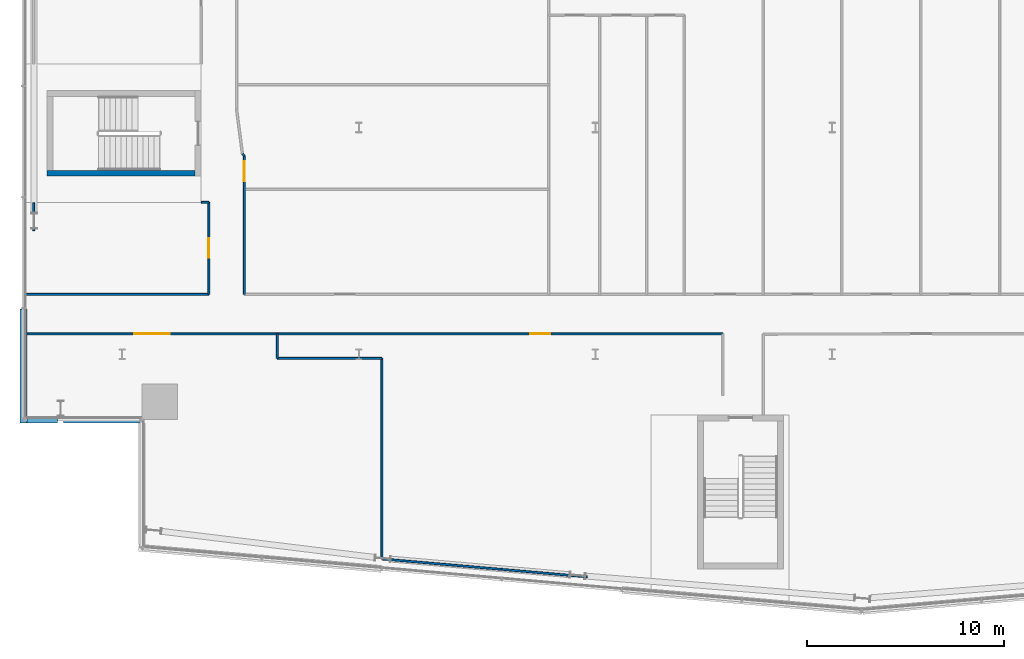
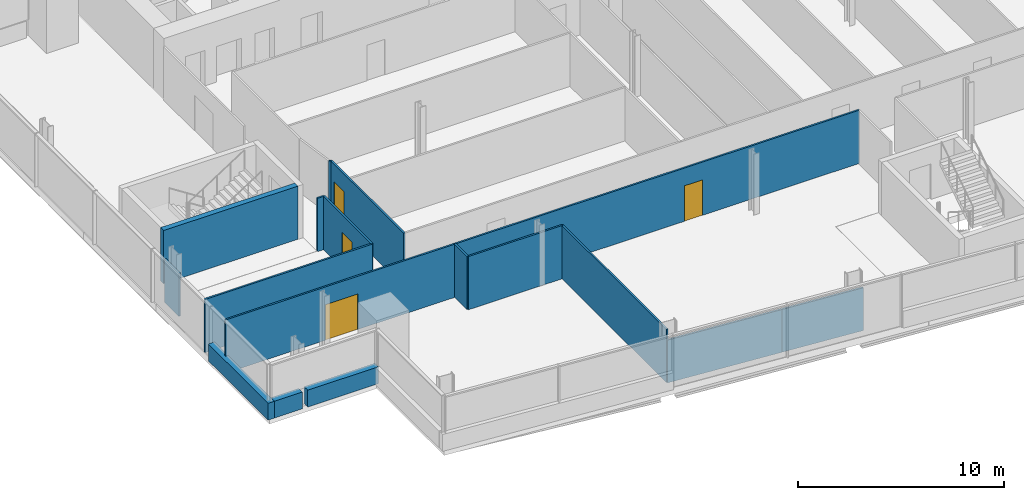
# One storey, part 14 of 25: 16 walls, 4 doors, 4 openings.
"""IFC4 building model written with IfcOpenShell, lengths in metres."""

from ifc_helpers import new_model, si_unit, direction, frame, frame_2d, origin, place, context, subcontext, project, spatial, rectangle, extrude, material, layer, layer_set, type_object, element, fill, save


model = new_model("IFC4")

# Units and contexts
model_context = context("Model", 3, precision=1e-05, world=origin(), true_north=direction((0.0, 1.0)))
body_context = subcontext(model_context, "Body", "Model", "MODEL_VIEW")
ifc_project = project(units=[si_unit("LENGTHUNIT", "METRE"), si_unit("AREAUNIT", "SQUARE_METRE"), si_unit("VOLUMEUNIT", "CUBIC_METRE"), si_unit("PLANEANGLEUNIT", "RADIAN"), si_unit("MASSUNIT", "GRAM", prefix="KILO")], contexts=[model_context])

# Site, building, storey
site_placement = place(None, origin())
site = spatial("IfcSite", under=ifc_project, at=site_placement, CompositionType="ELEMENT")
building_placement = place(site_placement, origin())
building = spatial("IfcBuilding", under=site, at=building_placement, Name="Wharfspan Tower", CompositionType="ELEMENT")
storey_placement = place(building_placement, frame((0.0, 0.0, 143.5)))
storey = spatial("IfcBuildingStorey", under=building, at=storey_placement, Name="L34", CompositionType="ELEMENT", Elevation=143.5)

# Wall, openings, doors
ifc_material_1 = material(Name="Gypsum board on steel studs", Category="steel")
ifc_layer_1 = layer(ifc_material_1, 0.100098)
ifc_layer_set_1 = layer_set([ifc_layer_1], Name="Gypsum board on steel studs")
wall_type_1 = type_object("IfcWallType", Name="Compartment wall 100 EI 60", PredefinedType="PARTITIONING", material=ifc_layer_set_1)
wall_1_placement = place(storey_placement, frame((7.02002, 12.530029, 0.0), z_axis=(0.0, 0.0, 1.0), x_axis=(1.0, 0.0, 0.0)))
wall_1 = element("IfcWall", 1, at=wall_1_placement, inside=storey, type_object=wall_type_1, Name="Partition L34.w001", PredefinedType="PARTITIONING", context=body_context, shape_type="SweptSolid", body=[
    extrude(rectangle(XDim=35.439941, YDim=0.100098, at=frame_2d((17.719971, 0.0))), origin(), (0.0, 0.0, 1.0), 3.149902),
])
opening_1_placement = place(wall_1_placement, frame((5.600098, 0.0, 0.0)))
opening_1 = element("IfcOpeningElement", 2, at=opening_1_placement, cuts=wall_1, Name="Opening B6-02", PredefinedType="OPENING", context=body_context, shape_type="SweptSolid", body=[
    extrude(rectangle(XDim=1.800049, YDim=2.100098, at=frame_2d((0.899902, 1.050049))), frame((0.0, 0.060059, 0.0), z_axis=(0.0, -1.0, 0.0), x_axis=(1.0, 0.0, 0.0)), (0.0, 0.0, 1.0), 0.120117),
])
opening_2_placement = place(wall_1_placement, frame((25.675049, 0.0, 0.0)))
opening_2 = element("IfcOpeningElement", 3, at=opening_2_placement, cuts=wall_1, Name="Opening B6-03", PredefinedType="OPENING", context=body_context, shape_type="SweptSolid", body=[
    extrude(rectangle(XDim=1.0, YDim=2.100098, at=frame_2d((0.5, 1.050049))), frame((0.0, 0.060059, 0.0), z_axis=(0.0, -1.0, 0.0), x_axis=(1.0, 0.0, 0.0)), (0.0, 0.0, 1.0), 0.120117),
])
ifc_material_2 = material(Name="Fire-rated timber door leaf in steel frame", Category="steel")
door_type_1 = type_object("IfcDoorType", Name="Door 1000 FD30S Right", OperationType="SINGLE_SWING_RIGHT", PredefinedType="DOOR", material=ifc_material_2)
door_1_placement = place(opening_2_placement, origin())
door_1 = element("IfcDoor", 4, at=door_1_placement, inside=storey, type_object=door_type_1, Name="Door B6-03", OperationType="SINGLE_SWING_RIGHT", OverallHeight=2.100098, OverallWidth=1.0, PredefinedType="DOOR", context=body_context, shape_type="SweptSolid", body=[
    extrude(rectangle(XDim=1.0, YDim=2.100098, at=frame_2d((0.5, 1.050049))), frame((0.0, 0.024902, 0.0), z_axis=(0.0, -1.0, 0.0), x_axis=(1.0, 0.0, 0.0)), (0.0, 0.0, 1.0), 0.050049),
])
fill(opening_2, door_1)
door_type_2 = type_object("IfcDoorType", Name="Door 1800 FD30S Double", OperationType="DOUBLE_DOOR_SINGLE_SWING", PredefinedType="DOOR", material=ifc_material_2)
door_2_placement = place(opening_1_placement, origin())
door_2 = element("IfcDoor", 5, at=door_2_placement, inside=storey, type_object=door_type_2, Name="Door B6-02", OperationType="DOUBLE_DOOR_SINGLE_SWING", OverallHeight=2.100098, OverallWidth=1.800049, PredefinedType="DOOR", context=body_context, shape_type="SweptSolid", body=[
    extrude(rectangle(XDim=1.800049, YDim=2.100098, at=frame_2d((0.899902, 1.050049))), frame((0.0, 0.024902, 0.0), z_axis=(0.0, -1.0, 0.0), x_axis=(1.0, 0.0, 0.0)), (0.0, 0.0, 1.0), 0.050049),
])
fill(opening_1, door_2)

# Walls
wall_2_placement = place(storey_placement, frame((7.02002, 14.530029, 0.0), z_axis=(0.0, 0.0, 1.0), x_axis=(1.0, 0.0, 0.0)))
element("IfcWall", 6, at=wall_2_placement, inside=storey, type_object=wall_type_1, Name="Partition L34.w002", PredefinedType="PARTITIONING", context=body_context, shape_type="SweptSolid", body=[
    extrude(rectangle(XDim=9.379883, YDim=0.100098, at=frame_2d((4.689941, 0.0))), origin(), (0.0, 0.0, 1.0), 3.149902),
])
wall_3_placement = place(storey_placement, frame((16.02002, 19.199951, 0.0), z_axis=(0.0, 0.0, 1.0), x_axis=(1.0, 0.0, 0.0)))
element("IfcWall", 7, at=wall_3_placement, inside=storey, type_object=wall_type_1, Name="Partition L34.w006", PredefinedType="PARTITIONING", context=body_context, shape_type="SweptSolid", body=[
    extrude(rectangle(XDim=0.379883, YDim=0.100098, at=frame_2d((0.189941, 0.0))), origin(), (0.0, 0.0, 1.0), 3.149902),
])

# Wall, opening, door
wall_4_placement = place(storey_placement, frame((16.399902, 14.530029, 0.0), z_axis=(0.0, 0.0, 1.0), x_axis=(0.0, 1.0, 0.0)))
wall_4 = element("IfcWall", 8, at=wall_4_placement, inside=storey, type_object=wall_type_1, Name="Partition L34.w007", PredefinedType="PARTITIONING", context=body_context, shape_type="SweptSolid", body=[
    extrude(rectangle(XDim=4.669922, YDim=0.100098, at=frame_2d((2.334961, 0.0))), origin(), (0.0, 0.0, 1.0), 3.149902),
])
opening_3_placement = place(wall_4_placement, frame((1.850098, 0.0, 0.0)))
opening_3 = element("IfcOpeningElement", 9, at=opening_3_placement, cuts=wall_4, Name="Opening B6-14", PredefinedType="OPENING", context=body_context, shape_type="SweptSolid", body=[
    extrude(rectangle(XDim=1.0, YDim=2.100098, at=frame_2d((0.5, 1.050049))), frame((0.0, 0.060059, 0.0), z_axis=(0.0, -1.0, 0.0), x_axis=(1.0, 0.0, 0.0)), (0.0, 0.0, 1.0), 0.120117),
])
door_3_placement = place(opening_3_placement, origin())
door_3 = element("IfcDoor", 10, at=door_3_placement, inside=storey, type_object=door_type_1, Name="Door B6-14", OperationType="SINGLE_SWING_RIGHT", OverallHeight=2.100098, OverallWidth=1.0, PredefinedType="DOOR", context=body_context, shape_type="SweptSolid", body=[
    extrude(rectangle(XDim=1.0, YDim=2.100098, at=frame_2d((0.5, 1.050049))), frame((0.0, 0.024902, 0.0), z_axis=(0.0, -1.0, 0.0), x_axis=(1.0, 0.0, 0.0)), (0.0, 0.0, 1.0), 0.050049),
])
fill(opening_3, door_3)

wall_5_placement = place(storey_placement, frame((18.199951, 14.530029, 0.0), z_axis=(0.0, 0.0, 1.0), x_axis=(0.0, 1.0, 0.0)))
wall_5 = element("IfcWall", 11, at=wall_5_placement, inside=storey, type_object=wall_type_1, Name="Partition L34.w012", PredefinedType="PARTITIONING", context=body_context, shape_type="SweptSolid", body=[
    extrude(rectangle(XDim=7.02002, YDim=0.100098, at=frame_2d((3.51001, 0.0))), origin(), (0.0, 0.0, 1.0), 3.149902),
])
opening_4_placement = place(wall_5_placement, frame((5.745117, 0.0, 0.0)))
opening_4 = element("IfcOpeningElement", 12, at=opening_4_placement, cuts=wall_5, Name="Opening B6-15", PredefinedType="OPENING", context=body_context, shape_type="SweptSolid", body=[
    extrude(rectangle(XDim=1.0, YDim=2.100098, at=frame_2d((0.5, 1.050049))), frame((0.0, 0.060059, 0.0), z_axis=(0.0, -1.0, 0.0), x_axis=(1.0, 0.0, 0.0)), (0.0, 0.0, 1.0), 0.120117),
])
door_4_placement = place(opening_4_placement, origin())
door_4 = element("IfcDoor", 13, at=door_4_placement, inside=storey, type_object=door_type_1, Name="Door B6-15", OperationType="SINGLE_SWING_RIGHT", OverallHeight=2.100098, OverallWidth=1.0, PredefinedType="DOOR", context=body_context, shape_type="SweptSolid", body=[
    extrude(rectangle(XDim=1.0, YDim=2.100098, at=frame_2d((0.5, 1.050049))), frame((0.0, 0.024902, 0.0), z_axis=(0.0, -1.0, 0.0), x_axis=(1.0, 0.0, 0.0)), (0.0, 0.0, 1.0), 0.050049),
])
fill(opening_4, door_4)

# Walls
wall_6_placement = place(storey_placement, frame((18.199951, 21.550049, 0.0), z_axis=(0.0, 0.0, 1.0), x_axis=(-0.672587, 0.74001, 0.0)))
element("IfcWall", 14, at=wall_6_placement, inside=storey, type_object=wall_type_1, Name="Partition L34.w015", PredefinedType="PARTITIONING", context=body_context, shape_type="SweptSolid", body=[
    extrude(rectangle(XDim=0.148438, YDim=0.100098, at=frame_2d((0.074219, 0.0))), origin(), (0.0, 0.0, 1.0), 3.149902),
])
wall_7_placement = place(storey_placement, frame((19.875, 11.290039, 0.0), z_axis=(0.0, 0.0, 1.0), x_axis=(0.0, 1.0, 0.0)))
element("IfcWall", 15, at=wall_7_placement, inside=storey, type_object=wall_type_1, Name="Partition L34.w016", PredefinedType="PARTITIONING", context=body_context, shape_type="SweptSolid", body=[
    extrude(rectangle(XDim=1.23999, YDim=0.100098, at=frame_2d((0.620117, 0.0))), origin(), (0.0, 0.0, 1.0), 3.149902),
])
ifc_layer_2 = layer(ifc_material_1, 0.100098)
ifc_layer_set_2 = layer_set([ifc_layer_2], Name="Gypsum board on steel studs")
wall_type_2 = type_object("IfcWallType", Name="Partition 100", PredefinedType="PARTITIONING", material=ifc_layer_set_2)
wall_8_placement = place(storey_placement, frame((7.51001, 17.764893, 0.0), z_axis=(0.0, 0.0, 1.0), x_axis=(0.0, 1.0, 0.0)))
element("IfcWall", 16, at=wall_8_placement, inside=storey, type_object=wall_type_2, Name="Partition L34.w003", PredefinedType="PARTITIONING", context=body_context, shape_type="SweptSolid", body=[
    extrude(rectangle(XDim=1.415039, YDim=0.100098, at=frame_2d((0.70752, 0.0))), origin(), (0.0, 0.0, 1.0), 2.530029),
])
wall_9_placement = place(storey_placement, frame((19.875, 11.290039, 0.0), z_axis=(0.0, 0.0, 1.0), x_axis=(1.0, 0.0, 0.0)))
element("IfcWall", 17, at=wall_9_placement, inside=storey, type_object=wall_type_2, Name="Partition L34.w017", PredefinedType="PARTITIONING", context=body_context, shape_type="SweptSolid", body=[
    extrude(rectangle(XDim=5.290039, YDim=0.100098, at=frame_2d((2.64502, 0.0))), origin(), (0.0, 0.0, 1.0), 3.149902),
])
wall_10_placement = place(storey_placement, frame((25.165039, 1.120117, 0.0), z_axis=(0.0, 0.0, 1.0), x_axis=(0.0, 1.0, 0.0)))
element("IfcWall", 18, at=wall_10_placement, inside=storey, type_object=wall_type_2, Name="Partition L34.w018", PredefinedType="PARTITIONING", context=body_context, shape_type="SweptSolid", body=[
    extrude(rectangle(XDim=10.169922, YDim=0.100098, at=frame_2d((5.084961, 0.0))), origin(), (0.0, 0.0, 1.0), 3.149902),
])
wall_11_placement = place(storey_placement, frame((31.25, 0.590088, 0.0), z_axis=(0.0, 0.0, 1.0), x_axis=(-0.996225, 0.086776, 0.0)))
element("IfcWall", 19, at=wall_11_placement, inside=storey, type_object=wall_type_2, Name="Partition L34.w019", PredefinedType="PARTITIONING", context=body_context, shape_type="SweptSolid", body=[
    extrude(rectangle(XDim=6.10791, YDim=0.100098, at=frame_2d((3.053955, 0.0))), origin(), (0.0, 0.0, 1.0), 2.530029),
])
wall_12_placement = place(storey_placement, frame((35.584961, 0.209961, 0.0), z_axis=(0.0, 0.0, 1.0), x_axis=(-0.996173, 0.087353, 0.0)))
element("IfcWall", 20, at=wall_12_placement, inside=storey, type_object=wall_type_2, Name="Partition L34.w022", PredefinedType="PARTITIONING", context=body_context, shape_type="SweptSolid", body=[
    extrude(rectangle(XDim=4.351562, YDim=0.100098, at=frame_2d((2.175781, 0.0))), origin(), (0.0, 0.0, 1.0), 2.530029),
])
ifc_material_3 = material(Name="Concrete C40/50", Category="concrete")
ifc_layer_3 = layer(ifc_material_3, 0.350098)
ifc_layer_set_3 = layer_set([ifc_layer_3], Name="Concrete C40/50")
wall_type_3 = type_object("IfcWallType", Name="SPANDREL EXPOSED CONCRETE 350", PredefinedType="SOLIDWALL", material=ifc_layer_set_3)
wall_13_placement = place(storey_placement, frame((6.995117, 13.803223, 0.0), z_axis=(0.0, 0.0, 1.0), x_axis=(0.0, -1.0, 0.0)))
element("IfcWall", 21, at=wall_13_placement, inside=storey, type_object=wall_type_3, Name="Spandrel upstand L34 W", PredefinedType="SOLIDWALL", context=body_context, shape_type="SweptSolid", body=[
    extrude(rectangle(XDim=5.783203, YDim=0.350098, at=frame_2d((2.891602, 0.0))), origin(), (0.0, 0.0, 1.0), 1.0),
])
wall_14_placement = place(storey_placement, frame((7.169922, 8.195068, 0.0), z_axis=(0.0, 0.0, 1.0), x_axis=(1.0, 0.0, 0.0)))
element("IfcWall", 22, at=wall_14_placement, inside=storey, type_object=wall_type_3, Name="Spandrel upstand L34 NFW-H", PredefinedType="SOLIDWALL", context=body_context, shape_type="SweptSolid", body=[
    extrude(rectangle(XDim=1.563232, YDim=0.350098, at=frame_2d((0.781738, 0.0))), origin(), (0.0, 0.0, 1.0), 1.0),
])
wall_15_placement = place(storey_placement, frame((9.036133, 8.195068, 0.0), z_axis=(0.0, 0.0, 1.0), x_axis=(1.0, 0.0, 0.0)))
element("IfcWall", 23, at=wall_15_placement, inside=storey, type_object=wall_type_3, Name="Spandrel upstand L34 NFW-H 2", PredefinedType="SOLIDWALL", context=body_context, shape_type="SweptSolid", body=[
    extrude(rectangle(XDim=3.963867, YDim=0.350098, at=frame_2d((1.981934, 0.0))), origin(), (0.0, 0.0, 1.0), 1.0),
])
ifc_layer_4 = layer(ifc_material_3, 0.300049)
ifc_layer_set_4 = layer_set([ifc_layer_4], Name="Concrete C40/50")
wall_type_4 = type_object("IfcWallType", Name="Stair core wall 300", PredefinedType="SHEAR", material=ifc_layer_set_4)
wall_16_placement = place(storey_placement, frame((8.199951, 20.675049, 0.0), z_axis=(0.0, 0.0, 1.0), x_axis=(1.0, 0.0, 0.0)))
element("IfcWall", 24, at=wall_16_placement, inside=storey, type_object=wall_type_4, Name="ST3 stair enclosure wall L34", PredefinedType="SHEAR", context=body_context, shape_type="SweptSolid", body=[
    extrude(rectangle(XDim=7.5, YDim=0.300049, at=frame_2d((3.75, 0.0))), origin(), (0.0, 0.0, 1.0), 3.149902),
])

save(model, "model.ifc")
